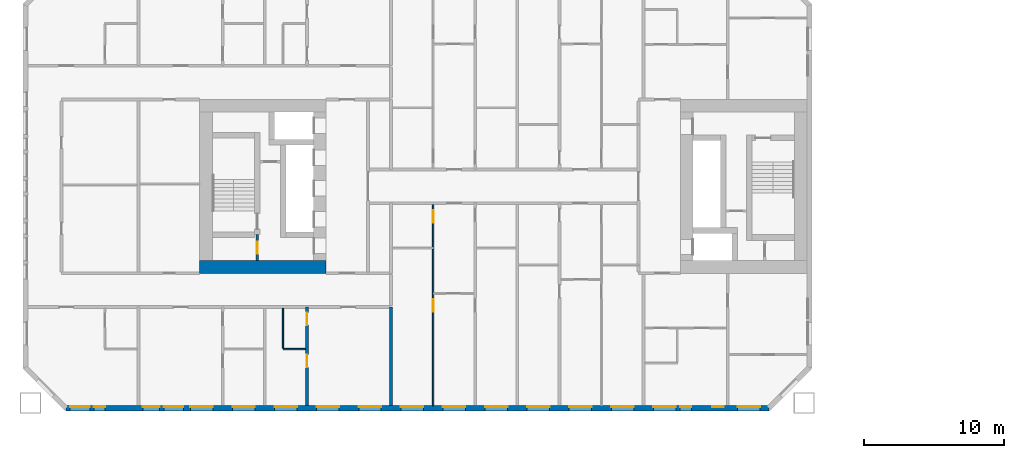
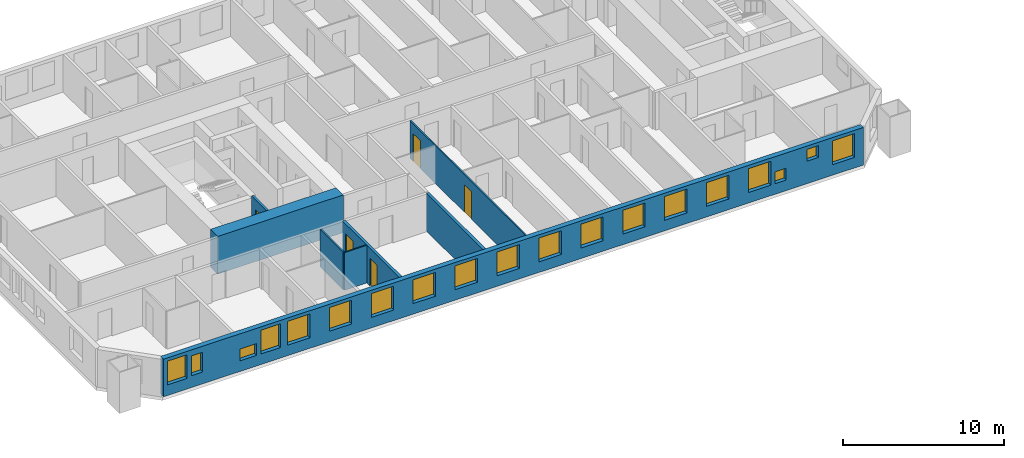
# One storey, part 3 of 17: 19 windows, 8 walls, 5 doors, 24 openings.
"""IFC4 building model written with IfcOpenShell, lengths in metres."""

from ifc_helpers import new_model, si_unit, direction, frame, frame_2d, origin, place, context, subcontext, project, spatial, rectangle, extrude, material, layer, layer_set, type_object, element, fill, save


model = new_model("IFC4")

# Units and contexts
model_context = context("Model", 3, precision=1e-05, world=origin(), true_north=direction((0.0, 1.0)))
body_context = subcontext(model_context, "Body", "Model", "MODEL_VIEW")
ifc_project = project(units=[si_unit("LENGTHUNIT", "METRE"), si_unit("AREAUNIT", "SQUARE_METRE"), si_unit("VOLUMEUNIT", "CUBIC_METRE"), si_unit("PLANEANGLEUNIT", "RADIAN"), si_unit("MASSUNIT", "GRAM", prefix="KILO")], contexts=[model_context])

# Site, building, storey
site_placement = place(None, origin())
site = spatial("IfcSite", under=ifc_project, at=site_placement, CompositionType="ELEMENT")
building_placement = place(site_placement, origin())
building = spatial("IfcBuilding", under=site, at=building_placement, Name="Tuart Gate Housing", CompositionType="ELEMENT")
storey_placement = place(building_placement, frame((0.0, 0.0, 22.60009765625)))
storey = spatial("IfcBuildingStorey", under=building, at=storey_placement, Name="L05", CompositionType="ELEMENT", Elevation=22.60009765625)

# Wall, openings, windows
ifc_material_1 = material(Name="Brick", Category="masonry")
ifc_layer_1 = layer(ifc_material_1, 0.360107421875)
ifc_layer_set_1 = layer_set([ifc_layer_1], Name="Brick pier and spandrel wall 360")
wall_type_1 = type_object("IfcWallType", Name="Brick pier and spandrel wall 360", PredefinedType="STANDARD", material=ifc_layer_set_1)
wall_1_placement = place(storey_placement, frame((22.82470703125, 54.179931640625, 0.0), z_axis=(0.0, 0.0, 1.0), x_axis=(1.0, 0.0, 0.0)))
wall_1 = element("IfcWall", 1, at=wall_1_placement, inside=storey, type_object=wall_type_1, Name="External wall A-S L05", PredefinedType="STANDARD", context=body_context, shape_type="SweptSolid", body=[
    extrude(rectangle(XDim=50.100830078125, YDim=0.360107421875, at=frame_2d((25.05029296875, 0.0))), origin(), (0.0, 0.0, 1.0), 2.849853515625),
])
opening_1_placement = place(wall_1_placement, frame((0.300048828125, 0.0, 0.800048828125)))
opening_1 = element("IfcOpeningElement", 2, at=opening_1_placement, cuts=wall_1, Name="Opening W1A", PredefinedType="OPENING", context=body_context, shape_type="SweptSolid", body=[
    extrude(rectangle(XDim=1.39990234375, YDim=1.800048828125, at=frame_2d((0.699951171875, 0.89990234375))), frame((0.0, 0.18994140625, 0.0), z_axis=(0.0, -1.0, 0.0), x_axis=(1.0, 0.0, 0.0)), (0.0, 0.0, 1.0), 0.380126953125),
])
opening_2_placement = place(wall_1_placement, frame((5.475341796875, 0.0, 0.800048828125)))
opening_2 = element("IfcOpeningElement", 3, at=opening_2_placement, cuts=wall_1, Name="Opening W1T", PredefinedType="OPENING", context=body_context, shape_type="SweptSolid", body=[
    extrude(rectangle(XDim=1.199951171875, YDim=0.89990234375, at=frame_2d((0.60009765625, 0.449951171875))), frame((0.0, 0.18994140625, 0.0), z_axis=(0.0, -1.0, 0.0), x_axis=(1.0, 0.0, 0.0)), (0.0, 0.0, 1.0), 0.380126953125),
])
opening_3_placement = place(wall_1_placement, frame((8.87548828125, 0.0, 0.800048828125)))
opening_3 = element("IfcOpeningElement", 4, at=opening_3_placement, cuts=wall_1, Name="Opening W1", PredefinedType="OPENING", context=body_context, shape_type="SweptSolid", body=[
    extrude(rectangle(XDim=1.60009765625, YDim=1.800048828125, at=frame_2d((0.800048828125, 0.89990234375))), frame((0.0, 0.18994140625, 0.0), z_axis=(0.0, -1.0, 0.0), x_axis=(1.0, 0.0, 0.0)), (0.0, 0.0, 1.0), 0.380126953125),
])
opening_4_placement = place(wall_1_placement, frame((11.87548828125, 0.0, 0.800048828125)))
opening_4 = element("IfcOpeningElement", 5, at=opening_4_placement, cuts=wall_1, Name="Opening W1", PredefinedType="OPENING", context=body_context, shape_type="SweptSolid", body=[
    extrude(rectangle(XDim=1.60009765625, YDim=1.800048828125, at=frame_2d((0.800048828125, 0.89990234375))), frame((0.0, 0.18994140625, 0.0), z_axis=(0.0, -1.0, 0.0), x_axis=(1.0, 0.0, 0.0)), (0.0, 0.0, 1.0), 0.380126953125),
])
opening_5_placement = place(wall_1_placement, frame((14.87548828125, 0.0, 0.800048828125)))
opening_5 = element("IfcOpeningElement", 6, at=opening_5_placement, cuts=wall_1, Name="Opening W1", PredefinedType="OPENING", context=body_context, shape_type="SweptSolid", body=[
    extrude(rectangle(XDim=1.60009765625, YDim=1.800048828125, at=frame_2d((0.800048828125, 0.89990234375))), frame((0.0, 0.18994140625, 0.0), z_axis=(0.0, -1.0, 0.0), x_axis=(1.0, 0.0, 0.0)), (0.0, 0.0, 1.0), 0.380126953125),
])
opening_6_placement = place(wall_1_placement, frame((17.87548828125, 0.0, 0.800048828125)))
opening_6 = element("IfcOpeningElement", 7, at=opening_6_placement, cuts=wall_1, Name="Opening W1", PredefinedType="OPENING", context=body_context, shape_type="SweptSolid", body=[
    extrude(rectangle(XDim=1.60009765625, YDim=1.800048828125, at=frame_2d((0.800048828125, 0.89990234375))), frame((0.0, 0.18994140625, 0.0), z_axis=(0.0, -1.0, 0.0), x_axis=(1.0, 0.0, 0.0)), (0.0, 0.0, 1.0), 0.380126953125),
])
opening_7_placement = place(wall_1_placement, frame((20.87548828125, 0.0, 0.800048828125)))
opening_7 = element("IfcOpeningElement", 8, at=opening_7_placement, cuts=wall_1, Name="Opening W1", PredefinedType="OPENING", context=body_context, shape_type="SweptSolid", body=[
    extrude(rectangle(XDim=1.60009765625, YDim=1.800048828125, at=frame_2d((0.800048828125, 0.89990234375))), frame((0.0, 0.18994140625, 0.0), z_axis=(0.0, -1.0, 0.0), x_axis=(1.0, 0.0, 0.0)), (0.0, 0.0, 1.0), 0.380126953125),
])
opening_8_placement = place(wall_1_placement, frame((23.87548828125, 0.0, 0.800048828125)))
opening_8 = element("IfcOpeningElement", 9, at=opening_8_placement, cuts=wall_1, Name="Opening W1", PredefinedType="OPENING", context=body_context, shape_type="SweptSolid", body=[
    extrude(rectangle(XDim=1.60009765625, YDim=1.800048828125, at=frame_2d((0.800048828125, 0.89990234375))), frame((0.0, 0.18994140625, 0.0), z_axis=(0.0, -1.0, 0.0), x_axis=(1.0, 0.0, 0.0)), (0.0, 0.0, 1.0), 0.380126953125),
])
opening_9_placement = place(wall_1_placement, frame((26.87548828125, 0.0, 0.800048828125)))
opening_9 = element("IfcOpeningElement", 10, at=opening_9_placement, cuts=wall_1, Name="Opening W1", PredefinedType="OPENING", context=body_context, shape_type="SweptSolid", body=[
    extrude(rectangle(XDim=1.60009765625, YDim=1.800048828125, at=frame_2d((0.800048828125, 0.89990234375))), frame((0.0, 0.18994140625, 0.0), z_axis=(0.0, -1.0, 0.0), x_axis=(1.0, 0.0, 0.0)), (0.0, 0.0, 1.0), 0.380126953125),
])
opening_10_placement = place(wall_1_placement, frame((29.87548828125, 0.0, 0.800048828125)))
opening_10 = element("IfcOpeningElement", 11, at=opening_10_placement, cuts=wall_1, Name="Opening W1", PredefinedType="OPENING", context=body_context, shape_type="SweptSolid", body=[
    extrude(rectangle(XDim=1.60009765625, YDim=1.800048828125, at=frame_2d((0.800048828125, 0.89990234375))), frame((0.0, 0.18994140625, 0.0), z_axis=(0.0, -1.0, 0.0), x_axis=(1.0, 0.0, 0.0)), (0.0, 0.0, 1.0), 0.380126953125),
])
opening_11_placement = place(wall_1_placement, frame((32.87548828125, 0.0, 0.800048828125)))
opening_11 = element("IfcOpeningElement", 12, at=opening_11_placement, cuts=wall_1, Name="Opening W1", PredefinedType="OPENING", context=body_context, shape_type="SweptSolid", body=[
    extrude(rectangle(XDim=1.60009765625, YDim=1.800048828125, at=frame_2d((0.800048828125, 0.89990234375))), frame((0.0, 0.18994140625, 0.0), z_axis=(0.0, -1.0, 0.0), x_axis=(1.0, 0.0, 0.0)), (0.0, 0.0, 1.0), 0.380126953125),
])
opening_12_placement = place(wall_1_placement, frame((35.87548828125, 0.0, 0.800048828125)))
opening_12 = element("IfcOpeningElement", 13, at=opening_12_placement, cuts=wall_1, Name="Opening W1", PredefinedType="OPENING", context=body_context, shape_type="SweptSolid", body=[
    extrude(rectangle(XDim=1.60009765625, YDim=1.800048828125, at=frame_2d((0.800048828125, 0.89990234375))), frame((0.0, 0.18994140625, 0.0), z_axis=(0.0, -1.0, 0.0), x_axis=(1.0, 0.0, 0.0)), (0.0, 0.0, 1.0), 0.380126953125),
])
opening_13_placement = place(wall_1_placement, frame((38.87548828125, 0.0, 0.800048828125)))
opening_13 = element("IfcOpeningElement", 14, at=opening_13_placement, cuts=wall_1, Name="Opening W1", PredefinedType="OPENING", context=body_context, shape_type="SweptSolid", body=[
    extrude(rectangle(XDim=1.60009765625, YDim=1.800048828125, at=frame_2d((0.800048828125, 0.89990234375))), frame((0.0, 0.18994140625, 0.0), z_axis=(0.0, -1.0, 0.0), x_axis=(1.0, 0.0, 0.0)), (0.0, 0.0, 1.0), 0.380126953125),
])
opening_14_placement = place(wall_1_placement, frame((41.87548828125, 0.0, 0.800048828125)))
opening_14 = element("IfcOpeningElement", 15, at=opening_14_placement, cuts=wall_1, Name="Opening W1", PredefinedType="OPENING", context=body_context, shape_type="SweptSolid", body=[
    extrude(rectangle(XDim=1.60009765625, YDim=1.800048828125, at=frame_2d((0.800048828125, 0.89990234375))), frame((0.0, 0.18994140625, 0.0), z_axis=(0.0, -1.0, 0.0), x_axis=(1.0, 0.0, 0.0)), (0.0, 0.0, 1.0), 0.380126953125),
])
opening_15_placement = place(wall_1_placement, frame((43.775390625, 0.0, 0.800048828125)))
opening_15 = element("IfcOpeningElement", 16, at=opening_15_placement, cuts=wall_1, Name="Opening W1V", PredefinedType="OPENING", context=body_context, shape_type="SweptSolid", body=[
    extrude(rectangle(XDim=0.800048828125, YDim=0.89990234375, at=frame_2d((0.39990234375, 0.449951171875))), frame((0.0, 0.18994140625, 0.0), z_axis=(0.0, -1.0, 0.0), x_axis=(1.0, 0.0, 0.0)), (0.0, 0.0, 1.0), 0.380126953125),
])
opening_16_placement = place(wall_1_placement, frame((47.87548828125, 0.0, 0.800048828125)))
opening_16 = element("IfcOpeningElement", 17, at=opening_16_placement, cuts=wall_1, Name="Opening W1", PredefinedType="OPENING", context=body_context, shape_type="SweptSolid", body=[
    extrude(rectangle(XDim=1.60009765625, YDim=1.800048828125, at=frame_2d((0.800048828125, 0.89990234375))), frame((0.0, 0.18994140625, 0.0), z_axis=(0.0, -1.0, 0.0), x_axis=(1.0, 0.0, 0.0)), (0.0, 0.0, 1.0), 0.380126953125),
])
opening_17_placement = place(wall_1_placement, frame((2.0, 0.0, 0.89990234375)))
opening_17 = element("IfcOpeningElement", 18, at=opening_17_placement, cuts=wall_1, Name="Opening W1J", PredefinedType="OPENING", context=body_context, shape_type="SweptSolid", body=[
    extrude(rectangle(XDim=0.800048828125, YDim=1.5, at=frame_2d((0.39990234375, 0.75))), frame((0.0, 0.18994140625, 0.0), z_axis=(0.0, -1.0, 0.0), x_axis=(1.0, 0.0, 0.0)), (0.0, 0.0, 1.0), 0.380126953125),
])
opening_18_placement = place(wall_1_placement, frame((6.975341796875, 0.0, 0.800048828125)))
opening_18 = element("IfcOpeningElement", 19, at=opening_18_placement, cuts=wall_1, Name="Opening W1A", PredefinedType="OPENING", context=body_context, shape_type="SweptSolid", body=[
    extrude(rectangle(XDim=1.39990234375, YDim=1.800048828125, at=frame_2d((0.699951171875, 0.89990234375))), frame((0.0, 0.18994140625, 0.0), z_axis=(0.0, -1.0, 0.0), x_axis=(1.0, 0.0, 0.0)), (0.0, 0.0, 1.0), 0.380126953125),
])
opening_19_placement = place(wall_1_placement, frame((46.075439453125, 0.0, 1.699951171875)))
opening_19 = element("IfcOpeningElement", 20, at=opening_19_placement, cuts=wall_1, Name="Opening W1V", PredefinedType="OPENING", context=body_context, shape_type="SweptSolid", body=[
    extrude(rectangle(XDim=0.800048828125, YDim=0.89990234375, at=frame_2d((0.39990234375, 0.449951171875))), frame((0.0, 0.18994140625, 0.0), z_axis=(0.0, -1.0, 0.0), x_axis=(1.0, 0.0, 0.0)), (0.0, 0.0, 1.0), 0.380126953125),
])
ifc_material_2 = material(Name="Aluminium frame with clear glass", Category="aluminium")
window_type_1 = type_object("IfcWindowType", Name="Punched window 1200 x 900", PartitioningType="SINGLE_PANEL", PredefinedType="WINDOW", material=ifc_material_2)
window_1_placement = place(opening_2_placement, origin())
window_1 = element("IfcWindow", 21, at=window_1_placement, inside=storey, type_object=window_type_1, Name="Window W1T", OverallHeight=0.89990234375, OverallWidth=1.199951171875, PartitioningType="SINGLE_PANEL", PredefinedType="WINDOW", context=body_context, shape_type="SweptSolid", body=[
    extrude(rectangle(XDim=1.199951171875, YDim=0.89990234375, at=frame_2d((0.60009765625, 0.449951171875))), frame((0.0, 0.150146484375, 0.0), z_axis=(0.0, -1.0, 0.0), x_axis=(1.0, 0.0, 0.0)), (0.0, 0.0, 1.0), 0.06005859375),
])
fill(opening_2, window_1)
ifc_material_3 = material(Name="Aluminium frame with clear glass", Category="aluminium")
window_type_2 = type_object("IfcWindowType", Name="Punched window 1400 x 1800", PartitioningType="SINGLE_PANEL", PredefinedType="WINDOW", material=ifc_material_3)
window_2_placement = place(opening_1_placement, origin())
window_2 = element("IfcWindow", 22, at=window_2_placement, inside=storey, type_object=window_type_2, Name="Window W1A", OverallHeight=1.800048828125, OverallWidth=1.39990234375, PartitioningType="SINGLE_PANEL", PredefinedType="WINDOW", context=body_context, shape_type="SweptSolid", body=[
    extrude(rectangle(XDim=1.39990234375, YDim=1.800048828125, at=frame_2d((0.699951171875, 0.89990234375))), frame((0.0, 0.150146484375, 0.0), z_axis=(0.0, -1.0, 0.0), x_axis=(1.0, 0.0, 0.0)), (0.0, 0.0, 1.0), 0.06005859375),
])
fill(opening_1, window_2)
window_3_placement = place(opening_18_placement, origin())
window_3 = element("IfcWindow", 23, at=window_3_placement, inside=storey, type_object=window_type_2, Name="Window W1A", OverallHeight=1.800048828125, OverallWidth=1.39990234375, PartitioningType="SINGLE_PANEL", PredefinedType="WINDOW", context=body_context, shape_type="SweptSolid", body=[
    extrude(rectangle(XDim=1.39990234375, YDim=1.800048828125, at=frame_2d((0.699951171875, 0.89990234375))), frame((0.0, 0.150146484375, 0.0), z_axis=(0.0, -1.0, 0.0), x_axis=(1.0, 0.0, 0.0)), (0.0, 0.0, 1.0), 0.06005859375),
])
fill(opening_18, window_3)
ifc_material_4 = material(Name="Aluminium frame with clear glass", Category="aluminium")
window_type_3 = type_object("IfcWindowType", Name="Punched window 1600 x 1800", PartitioningType="SINGLE_PANEL", PredefinedType="WINDOW", material=ifc_material_4)
window_4_placement = place(opening_3_placement, origin())
window_4 = element("IfcWindow", 24, at=window_4_placement, inside=storey, type_object=window_type_3, Name="Window W1", OverallHeight=1.800048828125, OverallWidth=1.60009765625, PartitioningType="SINGLE_PANEL", PredefinedType="WINDOW", context=body_context, shape_type="SweptSolid", body=[
    extrude(rectangle(XDim=1.60009765625, YDim=1.800048828125, at=frame_2d((0.800048828125, 0.89990234375))), frame((0.0, 0.150146484375, 0.0), z_axis=(0.0, -1.0, 0.0), x_axis=(1.0, 0.0, 0.0)), (0.0, 0.0, 1.0), 0.06005859375),
])
fill(opening_3, window_4)
window_5_placement = place(opening_4_placement, origin())
window_5 = element("IfcWindow", 25, at=window_5_placement, inside=storey, type_object=window_type_3, Name="Window W1", OverallHeight=1.800048828125, OverallWidth=1.60009765625, PartitioningType="SINGLE_PANEL", PredefinedType="WINDOW", context=body_context, shape_type="SweptSolid", body=[
    extrude(rectangle(XDim=1.60009765625, YDim=1.800048828125, at=frame_2d((0.800048828125, 0.89990234375))), frame((0.0, 0.150146484375, 0.0), z_axis=(0.0, -1.0, 0.0), x_axis=(1.0, 0.0, 0.0)), (0.0, 0.0, 1.0), 0.06005859375),
])
fill(opening_4, window_5)
window_6_placement = place(opening_5_placement, origin())
window_6 = element("IfcWindow", 26, at=window_6_placement, inside=storey, type_object=window_type_3, Name="Window W1", OverallHeight=1.800048828125, OverallWidth=1.60009765625, PartitioningType="SINGLE_PANEL", PredefinedType="WINDOW", context=body_context, shape_type="SweptSolid", body=[
    extrude(rectangle(XDim=1.60009765625, YDim=1.800048828125, at=frame_2d((0.800048828125, 0.89990234375))), frame((0.0, 0.150146484375, 0.0), z_axis=(0.0, -1.0, 0.0), x_axis=(1.0, 0.0, 0.0)), (0.0, 0.0, 1.0), 0.06005859375),
])
fill(opening_5, window_6)
window_7_placement = place(opening_6_placement, origin())
window_7 = element("IfcWindow", 27, at=window_7_placement, inside=storey, type_object=window_type_3, Name="Window W1", OverallHeight=1.800048828125, OverallWidth=1.60009765625, PartitioningType="SINGLE_PANEL", PredefinedType="WINDOW", context=body_context, shape_type="SweptSolid", body=[
    extrude(rectangle(XDim=1.60009765625, YDim=1.800048828125, at=frame_2d((0.800048828125, 0.89990234375))), frame((0.0, 0.150146484375, 0.0), z_axis=(0.0, -1.0, 0.0), x_axis=(1.0, 0.0, 0.0)), (0.0, 0.0, 1.0), 0.06005859375),
])
fill(opening_6, window_7)
window_8_placement = place(opening_7_placement, origin())
window_8 = element("IfcWindow", 28, at=window_8_placement, inside=storey, type_object=window_type_3, Name="Window W1", OverallHeight=1.800048828125, OverallWidth=1.60009765625, PartitioningType="SINGLE_PANEL", PredefinedType="WINDOW", context=body_context, shape_type="SweptSolid", body=[
    extrude(rectangle(XDim=1.60009765625, YDim=1.800048828125, at=frame_2d((0.800048828125, 0.89990234375))), frame((0.0, 0.150146484375, 0.0), z_axis=(0.0, -1.0, 0.0), x_axis=(1.0, 0.0, 0.0)), (0.0, 0.0, 1.0), 0.06005859375),
])
fill(opening_7, window_8)
window_9_placement = place(opening_8_placement, origin())
window_9 = element("IfcWindow", 29, at=window_9_placement, inside=storey, type_object=window_type_3, Name="Window W1", OverallHeight=1.800048828125, OverallWidth=1.60009765625, PartitioningType="SINGLE_PANEL", PredefinedType="WINDOW", context=body_context, shape_type="SweptSolid", body=[
    extrude(rectangle(XDim=1.60009765625, YDim=1.800048828125, at=frame_2d((0.800048828125, 0.89990234375))), frame((0.0, 0.150146484375, 0.0), z_axis=(0.0, -1.0, 0.0), x_axis=(1.0, 0.0, 0.0)), (0.0, 0.0, 1.0), 0.06005859375),
])
fill(opening_8, window_9)
window_10_placement = place(opening_9_placement, origin())
window_10 = element("IfcWindow", 30, at=window_10_placement, inside=storey, type_object=window_type_3, Name="Window W1", OverallHeight=1.800048828125, OverallWidth=1.60009765625, PartitioningType="SINGLE_PANEL", PredefinedType="WINDOW", context=body_context, shape_type="SweptSolid", body=[
    extrude(rectangle(XDim=1.60009765625, YDim=1.800048828125, at=frame_2d((0.800048828125, 0.89990234375))), frame((0.0, 0.150146484375, 0.0), z_axis=(0.0, -1.0, 0.0), x_axis=(1.0, 0.0, 0.0)), (0.0, 0.0, 1.0), 0.06005859375),
])
fill(opening_9, window_10)
window_11_placement = place(opening_10_placement, origin())
window_11 = element("IfcWindow", 31, at=window_11_placement, inside=storey, type_object=window_type_3, Name="Window W1", OverallHeight=1.800048828125, OverallWidth=1.60009765625, PartitioningType="SINGLE_PANEL", PredefinedType="WINDOW", context=body_context, shape_type="SweptSolid", body=[
    extrude(rectangle(XDim=1.60009765625, YDim=1.800048828125, at=frame_2d((0.800048828125, 0.89990234375))), frame((0.0, 0.150146484375, 0.0), z_axis=(0.0, -1.0, 0.0), x_axis=(1.0, 0.0, 0.0)), (0.0, 0.0, 1.0), 0.06005859375),
])
fill(opening_10, window_11)
window_12_placement = place(opening_11_placement, origin())
window_12 = element("IfcWindow", 32, at=window_12_placement, inside=storey, type_object=window_type_3, Name="Window W1", OverallHeight=1.800048828125, OverallWidth=1.60009765625, PartitioningType="SINGLE_PANEL", PredefinedType="WINDOW", context=body_context, shape_type="SweptSolid", body=[
    extrude(rectangle(XDim=1.60009765625, YDim=1.800048828125, at=frame_2d((0.800048828125, 0.89990234375))), frame((0.0, 0.150146484375, 0.0), z_axis=(0.0, -1.0, 0.0), x_axis=(1.0, 0.0, 0.0)), (0.0, 0.0, 1.0), 0.06005859375),
])
fill(opening_11, window_12)
window_13_placement = place(opening_12_placement, origin())
window_13 = element("IfcWindow", 33, at=window_13_placement, inside=storey, type_object=window_type_3, Name="Window W1", OverallHeight=1.800048828125, OverallWidth=1.60009765625, PartitioningType="SINGLE_PANEL", PredefinedType="WINDOW", context=body_context, shape_type="SweptSolid", body=[
    extrude(rectangle(XDim=1.60009765625, YDim=1.800048828125, at=frame_2d((0.800048828125, 0.89990234375))), frame((0.0, 0.150146484375, 0.0), z_axis=(0.0, -1.0, 0.0), x_axis=(1.0, 0.0, 0.0)), (0.0, 0.0, 1.0), 0.06005859375),
])
fill(opening_12, window_13)
window_14_placement = place(opening_13_placement, origin())
window_14 = element("IfcWindow", 34, at=window_14_placement, inside=storey, type_object=window_type_3, Name="Window W1", OverallHeight=1.800048828125, OverallWidth=1.60009765625, PartitioningType="SINGLE_PANEL", PredefinedType="WINDOW", context=body_context, shape_type="SweptSolid", body=[
    extrude(rectangle(XDim=1.60009765625, YDim=1.800048828125, at=frame_2d((0.800048828125, 0.89990234375))), frame((0.0, 0.150146484375, 0.0), z_axis=(0.0, -1.0, 0.0), x_axis=(1.0, 0.0, 0.0)), (0.0, 0.0, 1.0), 0.06005859375),
])
fill(opening_13, window_14)
window_15_placement = place(opening_14_placement, origin())
window_15 = element("IfcWindow", 35, at=window_15_placement, inside=storey, type_object=window_type_3, Name="Window W1", OverallHeight=1.800048828125, OverallWidth=1.60009765625, PartitioningType="SINGLE_PANEL", PredefinedType="WINDOW", context=body_context, shape_type="SweptSolid", body=[
    extrude(rectangle(XDim=1.60009765625, YDim=1.800048828125, at=frame_2d((0.800048828125, 0.89990234375))), frame((0.0, 0.150146484375, 0.0), z_axis=(0.0, -1.0, 0.0), x_axis=(1.0, 0.0, 0.0)), (0.0, 0.0, 1.0), 0.06005859375),
])
fill(opening_14, window_15)
window_16_placement = place(opening_16_placement, origin())
window_16 = element("IfcWindow", 36, at=window_16_placement, inside=storey, type_object=window_type_3, Name="Window W1", OverallHeight=1.800048828125, OverallWidth=1.60009765625, PartitioningType="SINGLE_PANEL", PredefinedType="WINDOW", context=body_context, shape_type="SweptSolid", body=[
    extrude(rectangle(XDim=1.60009765625, YDim=1.800048828125, at=frame_2d((0.800048828125, 0.89990234375))), frame((0.0, 0.150146484375, 0.0), z_axis=(0.0, -1.0, 0.0), x_axis=(1.0, 0.0, 0.0)), (0.0, 0.0, 1.0), 0.06005859375),
])
fill(opening_16, window_16)
ifc_material_5 = material(Name="Aluminium frame with clear glass", Category="aluminium")
window_type_4 = type_object("IfcWindowType", Name="Punched window 800 x 1500", PartitioningType="SINGLE_PANEL", PredefinedType="WINDOW", material=ifc_material_5)
window_17_placement = place(opening_17_placement, origin())
window_17 = element("IfcWindow", 37, at=window_17_placement, inside=storey, type_object=window_type_4, Name="Window W1J", OverallHeight=1.5, OverallWidth=0.800048828125, PartitioningType="SINGLE_PANEL", PredefinedType="WINDOW", context=body_context, shape_type="SweptSolid", body=[
    extrude(rectangle(XDim=0.800048828125, YDim=1.5, at=frame_2d((0.39990234375, 0.75))), frame((0.0, 0.150146484375, 0.0), z_axis=(0.0, -1.0, 0.0), x_axis=(1.0, 0.0, 0.0)), (0.0, 0.0, 1.0), 0.06005859375),
])
fill(opening_17, window_17)
ifc_material_6 = material(Name="Aluminium frame with clear glass", Category="aluminium")
window_type_5 = type_object("IfcWindowType", Name="Punched window 800 x 900", PartitioningType="SINGLE_PANEL", PredefinedType="WINDOW", material=ifc_material_6)
window_18_placement = place(opening_15_placement, origin())
window_18 = element("IfcWindow", 38, at=window_18_placement, inside=storey, type_object=window_type_5, Name="Window W1V", OverallHeight=0.89990234375, OverallWidth=0.800048828125, PartitioningType="SINGLE_PANEL", PredefinedType="WINDOW", context=body_context, shape_type="SweptSolid", body=[
    extrude(rectangle(XDim=0.800048828125, YDim=0.89990234375, at=frame_2d((0.39990234375, 0.449951171875))), frame((0.0, 0.150146484375, 0.0), z_axis=(0.0, -1.0, 0.0), x_axis=(1.0, 0.0, 0.0)), (0.0, 0.0, 1.0), 0.06005859375),
])
fill(opening_15, window_18)
window_19_placement = place(opening_19_placement, origin())
window_19 = element("IfcWindow", 39, at=window_19_placement, inside=storey, type_object=window_type_5, Name="Window W1V", OverallHeight=0.89990234375, OverallWidth=0.800048828125, PartitioningType="SINGLE_PANEL", PredefinedType="WINDOW", context=body_context, shape_type="SweptSolid", body=[
    extrude(rectangle(XDim=0.800048828125, YDim=0.89990234375, at=frame_2d((0.39990234375, 0.449951171875))), frame((0.0, 0.150146484375, 0.0), z_axis=(0.0, -1.0, 0.0), x_axis=(1.0, 0.0, 0.0)), (0.0, 0.0, 1.0), 0.06005859375),
])
fill(opening_19, window_19)

# Wall, opening, door
ifc_material_7 = material(Name="Plasterboard partition")
ifc_layer_2 = layer(ifc_material_7, 0.14990234375)
ifc_layer_set_2 = layer_set([ifc_layer_2], Name="Core partition 150")
wall_type_2 = type_object("IfcWallType", Name="Core partition 150", PredefinedType="PARTITIONING", material=ifc_layer_set_2)
wall_2_placement = place(storey_placement, frame((36.4599609375, 66.550048828125, 0.0), z_axis=(0.0, 0.0, 1.0), x_axis=(0.0, -1.0, 0.0)))
wall_2 = element("IfcWall", 40, at=wall_2_placement, inside=storey, type_object=wall_type_2, Name="Core partition AK.9", PredefinedType="PARTITIONING", context=body_context, shape_type="SweptSolid", body=[
    extrude(rectangle(XDim=1.85009765625, YDim=0.14990234375, at=frame_2d((0.925048828125, 0.0))), origin(), (0.0, 0.0, 1.0), 2.849853515625),
])
opening_20_placement = place(wall_2_placement, frame((0.5, 0.0, 0.0)))
opening_20 = element("IfcOpeningElement", 41, at=opening_20_placement, cuts=wall_2, Name="Opening D382", PredefinedType="OPENING", context=body_context, shape_type="SweptSolid", body=[
    extrude(rectangle(XDim=0.85009765625, YDim=2.10009765625, at=frame_2d((0.425048828125, 1.050048828125))), frame((0.0, 0.0849609375, 0.0), z_axis=(0.0, -1.0, 0.0), x_axis=(1.0, 0.0, 0.0)), (0.0, 0.0, 1.0), 0.169921875),
])
ifc_material_8 = material(Name="Steel fire door", Category="steel")
door_type_1 = type_object("IfcDoorType", Name="Service door 850 x 2100 RH", OperationType="SINGLE_SWING_RIGHT", PredefinedType="DOOR", material=ifc_material_8)
door_1_placement = place(opening_20_placement, frame((0.85009765625, 0.0, 0.0), z_axis=(0.0, 0.0, 1.0), x_axis=(-1.0, 0.0, 0.0)))
door_1 = element("IfcDoor", 42, at=door_1_placement, inside=storey, type_object=door_type_1, Name="Service room door AK.ST", OperationType="SINGLE_SWING_RIGHT", OverallHeight=2.10009765625, OverallWidth=0.85009765625, PredefinedType="DOOR", context=body_context, shape_type="SweptSolid", body=[
    extrude(rectangle(XDim=0.85009765625, YDim=2.10009765625, at=frame_2d((0.425048828125, 1.050048828125))), frame((0.0, 0.025146484375, 0.0), z_axis=(0.0, -1.0, 0.0), x_axis=(1.0, 0.0, 0.0)), (0.0, 0.0, 1.0), 0.050048828125),
])
fill(opening_20, door_1)

# Walls
ifc_material_9 = material(Name="Concrete C60", Category="concrete")
ifc_layer_3 = layer(ifc_material_9, 0.89990234375)
ifc_layer_set_3 = layer_set([ifc_layer_3], Name="Core wall 900 C60")
wall_type_3 = type_object("IfcWallType", Name="Core wall 900 C60", PredefinedType="SHEAR", material=ifc_layer_set_3)
wall_3_placement = place(storey_placement, frame((41.360107421875, 64.25, 0.0), z_axis=(0.0, 0.0, 1.0), x_axis=(-1.0, 0.0, 0.0)))
element("IfcWall", 43, at=wall_3_placement, inside=storey, type_object=wall_type_3, Name="Core wall AK north", PredefinedType="SHEAR", context=body_context, shape_type="SweptSolid", body=[
    extrude(rectangle(XDim=9.0, YDim=0.89990234375, at=frame_2d((4.5, 0.0))), origin(), (0.0, 0.0, 1.0), 2.849853515625),
])
ifc_material_10 = material(Name="Gypsum board on steel studs", Category="steel")
ifc_layer_4 = layer(ifc_material_10, 0.10009765625)
ifc_layer_set_4 = layer_set([ifc_layer_4], Name="Partition 100")
wall_type_4 = type_object("IfcWallType", Name="Partition 100", PredefinedType="PARTITIONING", material=ifc_layer_set_4)
wall_4_placement = place(storey_placement, frame((38.300048828125, 58.39990234375, 0.0), z_axis=(0.0, 0.0, 1.0), x_axis=(1.0, 0.0, 0.0)))
element("IfcWall", 44, at=wall_4_placement, inside=storey, type_object=wall_type_4, Name="Partition 100", PredefinedType="PARTITIONING", context=body_context, shape_type="SweptSolid", body=[
    extrude(rectangle(XDim=1.599853515625, YDim=0.10009765625, at=frame_2d((0.7998046875, 0.0))), origin(), (0.0, 0.0, 1.0), 2.849853515625),
])
wall_5_placement = place(storey_placement, frame((38.300048828125, 58.449951171875, 0.0), z_axis=(0.0, 0.0, 1.0), x_axis=(0.0, 1.0, 0.0)))
element("IfcWall", 45, at=wall_5_placement, inside=storey, type_object=wall_type_4, Name="Partition 100", PredefinedType="PARTITIONING", context=body_context, shape_type="SweptSolid", body=[
    extrude(rectangle(XDim=2.85009765625, YDim=0.10009765625, at=frame_2d((1.425048828125, 0.0))), origin(), (0.0, 0.0, 1.0), 2.849853515625),
])

# Wall, openings, doors
wall_6_placement = place(storey_placement, frame((49.0, 54.360107421875, 0.0), z_axis=(0.0, 0.0, 1.0), x_axis=(0.0, 1.0, 0.0)))
wall_6 = element("IfcWall", 46, at=wall_6_placement, inside=storey, type_object=wall_type_4, Name="Partition 100", PredefinedType="PARTITIONING", context=body_context, shape_type="SweptSolid", body=[
    extrude(rectangle(XDim=14.33984375, YDim=0.10009765625, at=frame_2d((7.169921875, 0.0))), origin(), (0.0, 0.0, 1.0), 2.849853515625),
])
opening_21_placement = place(wall_6_placement, frame((6.699951171875, 0.0, 0.0)))
opening_21 = element("IfcOpeningElement", 47, at=opening_21_placement, cuts=wall_6, Name="Opening D394", PredefinedType="OPENING", context=body_context, shape_type="SweptSolid", body=[
    extrude(rectangle(XDim=0.89990234375, YDim=2.10009765625, at=frame_2d((0.449951171875, 1.050048828125))), frame((0.0, 0.06005859375, 0.0), z_axis=(0.0, -1.0, 0.0), x_axis=(1.0, 0.0, 0.0)), (0.0, 0.0, 1.0), 0.1201171875),
])
opening_22_placement = place(wall_6_placement, frame((13.0400390625, 0.0, 0.0)))
opening_22 = element("IfcOpeningElement", 48, at=opening_22_placement, cuts=wall_6, Name="Opening D393", PredefinedType="OPENING", context=body_context, shape_type="SweptSolid", body=[
    extrude(rectangle(XDim=0.89990234375, YDim=2.10009765625, at=frame_2d((0.449951171875, 1.050048828125))), frame((0.0, 0.06005859375, 0.0), z_axis=(0.0, -1.0, 0.0), x_axis=(1.0, 0.0, 0.0)), (0.0, 0.0, 1.0), 0.1201171875),
])
ifc_material_11 = material(Name="Timber door leaf in steel frame", Category="steel")
door_type_2 = type_object("IfcDoorType", Name="Bathroom door 900 RH", OperationType="SINGLE_SWING_RIGHT", PredefinedType="DOOR", material=ifc_material_11)
door_2_placement = place(opening_22_placement, origin())
door_2 = element("IfcDoor", 49, at=door_2_placement, inside=storey, type_object=door_type_2, Name="Bathroom door", OperationType="SINGLE_SWING_RIGHT", OverallHeight=2.10009765625, OverallWidth=0.89990234375, PredefinedType="DOOR", context=body_context, shape_type="SweptSolid", body=[
    extrude(rectangle(XDim=0.89990234375, YDim=2.10009765625, at=frame_2d((0.449951171875, 1.050048828125))), frame((0.0, 0.02490234375, 0.0), z_axis=(0.0, -1.0, 0.0), x_axis=(1.0, 0.0, 0.0)), (0.0, 0.0, 1.0), 0.050048828125),
])
fill(opening_22, door_2)
ifc_material_12 = material(Name="Timber door leaf in steel frame", Category="steel")
door_type_3 = type_object("IfcDoorType", Name="Internal door 900 RH", OperationType="SINGLE_SWING_RIGHT", PredefinedType="DOOR", material=ifc_material_12)
door_3_placement = place(opening_21_placement, origin())
door_3 = element("IfcDoor", 50, at=door_3_placement, inside=storey, type_object=door_type_3, Name="Internal door", OperationType="SINGLE_SWING_RIGHT", OverallHeight=2.10009765625, OverallWidth=0.89990234375, PredefinedType="DOOR", context=body_context, shape_type="SweptSolid", body=[
    extrude(rectangle(XDim=0.89990234375, YDim=2.10009765625, at=frame_2d((0.449951171875, 1.050048828125))), frame((0.0, 0.02490234375, 0.0), z_axis=(0.0, -1.0, 0.0), x_axis=(1.0, 0.0, 0.0)), (0.0, 0.0, 1.0), 0.050048828125),
])
fill(opening_21, door_3)

ifc_material_13 = material(Name="Concrete C40", Category="concrete")
ifc_layer_5 = layer(ifc_material_13, 0.199951171875)
ifc_layer_set_5 = layer_set([ifc_layer_5], Name="Party wall concrete C40 200")
wall_type_5 = type_object("IfcWallType", Name="Party wall concrete C40 200", PredefinedType="SOLIDWALL", material=ifc_layer_set_5)
wall_7_placement = place(storey_placement, frame((40.0, 54.360107421875, 0.0), z_axis=(0.0, 0.0, 1.0), x_axis=(0.0, 1.0, 0.0)))
wall_7 = element("IfcWall", 51, at=wall_7_placement, inside=storey, type_object=wall_type_5, Name="Party wall concrete C40 200", PredefinedType="SOLIDWALL", context=body_context, shape_type="SweptSolid", body=[
    extrude(rectangle(XDim=7.039794921875, YDim=0.199951171875, at=frame_2d((3.52001953125, 0.0))), origin(), (0.0, 0.0, 1.0), 2.849853515625),
])
opening_23_placement = place(wall_7_placement, frame((2.739990234375, 0.0, 0.0)))
opening_23 = element("IfcOpeningElement", 52, at=opening_23_placement, cuts=wall_7, Name="Opening D408", PredefinedType="OPENING", context=body_context, shape_type="SweptSolid", body=[
    extrude(rectangle(XDim=0.89990234375, YDim=2.10009765625, at=frame_2d((0.449951171875, 1.050048828125))), frame((0.0, 0.10986328125, 0.0), z_axis=(0.0, -1.0, 0.0), x_axis=(1.0, 0.0, 0.0)), (0.0, 0.0, 1.0), 0.219970703125),
])
opening_24_placement = place(wall_7_placement, frame((5.739990234375, 0.0, 0.0)))
opening_24 = element("IfcOpeningElement", 53, at=opening_24_placement, cuts=wall_7, Name="Opening D407", PredefinedType="OPENING", context=body_context, shape_type="SweptSolid", body=[
    extrude(rectangle(XDim=0.89990234375, YDim=2.10009765625, at=frame_2d((0.449951171875, 1.050048828125))), frame((0.0, 0.10986328125, 0.0), z_axis=(0.0, -1.0, 0.0), x_axis=(1.0, 0.0, 0.0)), (0.0, 0.0, 1.0), 0.219970703125),
])
door_4_placement = place(opening_24_placement, origin())
door_4 = element("IfcDoor", 54, at=door_4_placement, inside=storey, type_object=door_type_2, Name="Bathroom door", OperationType="SINGLE_SWING_RIGHT", OverallHeight=2.10009765625, OverallWidth=0.89990234375, PredefinedType="DOOR", context=body_context, shape_type="SweptSolid", body=[
    extrude(rectangle(XDim=0.89990234375, YDim=2.10009765625, at=frame_2d((0.449951171875, 1.050048828125))), frame((0.0, 0.02490234375, 0.0), z_axis=(0.0, -1.0, 0.0), x_axis=(1.0, 0.0, 0.0)), (0.0, 0.0, 1.0), 0.050048828125),
])
fill(opening_24, door_4)
door_5_placement = place(opening_23_placement, origin())
door_5 = element("IfcDoor", 55, at=door_5_placement, inside=storey, type_object=door_type_3, Name="Internal door", OperationType="SINGLE_SWING_RIGHT", OverallHeight=2.10009765625, OverallWidth=0.89990234375, PredefinedType="DOOR", context=body_context, shape_type="SweptSolid", body=[
    extrude(rectangle(XDim=0.89990234375, YDim=2.10009765625, at=frame_2d((0.449951171875, 1.050048828125))), frame((0.0, 0.02490234375, 0.0), z_axis=(0.0, -1.0, 0.0), x_axis=(1.0, 0.0, 0.0)), (0.0, 0.0, 1.0), 0.050048828125),
])
fill(opening_23, door_5)

# Wall
wall_8_placement = place(storey_placement, frame((46.0, 54.360107421875, 0.0), z_axis=(0.0, 0.0, 1.0), x_axis=(0.0, 1.0, 0.0)))
element("IfcWall", 56, at=wall_8_placement, inside=storey, type_object=wall_type_5, Name="Party wall concrete C40 200", PredefinedType="SOLIDWALL", context=body_context, shape_type="SweptSolid", body=[
    extrude(rectangle(XDim=7.039794921875, YDim=0.199951171875, at=frame_2d((3.52001953125, 0.0))), origin(), (0.0, 0.0, 1.0), 2.849853515625),
])

save(model, "model.ifc")
